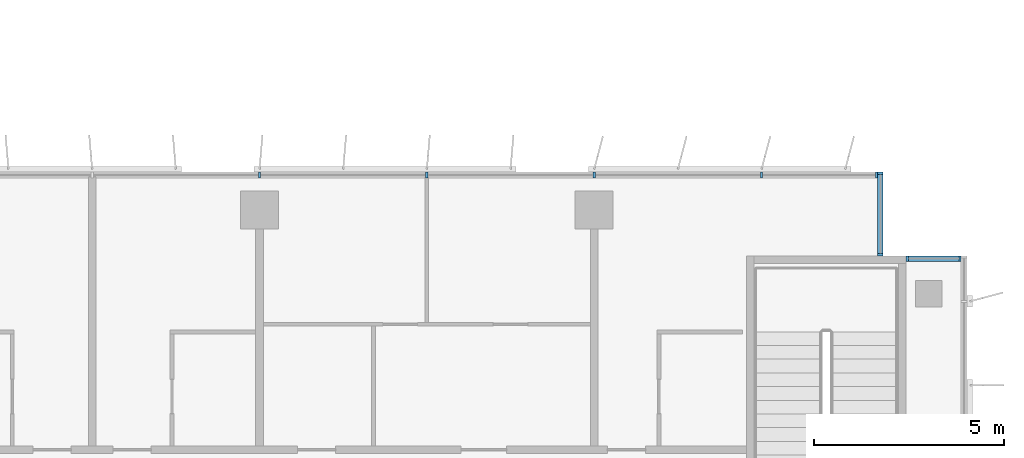
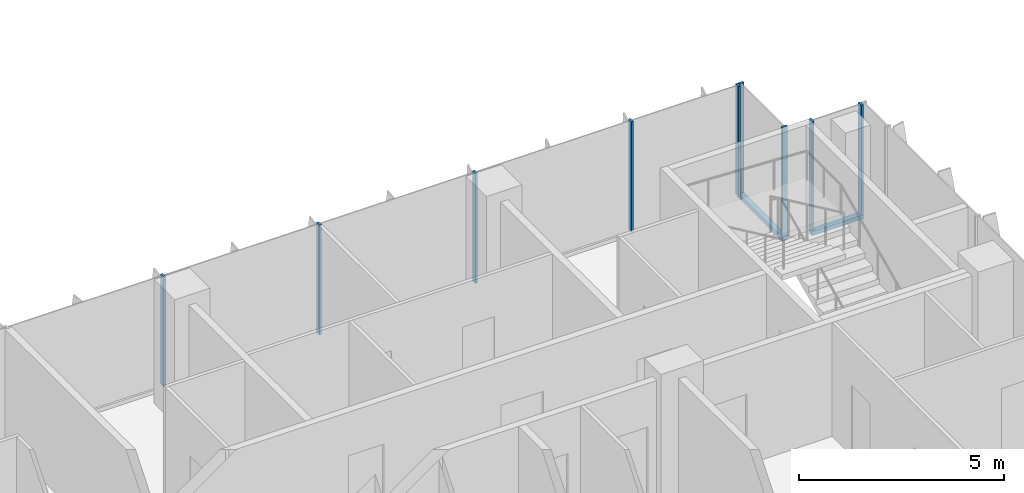
# One storey, part 4 of 21: 11 members, 3 elements without a shape of their own.
"""IFC4 building model written with IfcOpenShell, lengths in metres."""

from ifc_helpers import new_model, si_unit, direction, frame, origin, origin_2d, place, context, subcontext, project, spatial, rectangle, extrude, source, transform, mapped, material, material_profile, profile_set, type_object, element, aggregate, save


model = new_model("IFC4")

# Units and contexts
model_context = context("Model", 3, precision=1e-05, world=origin(), true_north=direction((0.0, 1.0)))
body_context = subcontext(model_context, "Body", "Model", "MODEL_VIEW")
ifc_project = project(units=[si_unit("LENGTHUNIT", "METRE"), si_unit("AREAUNIT", "SQUARE_METRE"), si_unit("VOLUMEUNIT", "CUBIC_METRE"), si_unit("PLANEANGLEUNIT", "RADIAN"), si_unit("MASSUNIT", "GRAM", prefix="KILO")], contexts=[model_context])

# Site, building, storey
site_placement = place(None, origin())
site = spatial("IfcSite", under=ifc_project, at=site_placement, CompositionType="ELEMENT")
building_placement = place(site_placement, origin())
building = spatial("IfcBuilding", under=site, at=building_placement, Name="Kemantara Hotel Tower", CompositionType="ELEMENT")
storey_placement = place(building_placement, frame((0.0, 0.0, 208.0)))
storey = spatial("IfcBuildingStorey", under=building, at=storey_placement, Name="L51", CompositionType="ELEMENT", Elevation=208.0)

# Curtain wall, member
ifc_material_1 = material(Name="Low-E tinted double insulated glass 36 mm", Category="glass")
curtain_wall_type = type_object("IfcCurtainWallType", Name="TOWER CURTAIN WALL, FRONT FACES", PredefinedType="USERDEFINED", material=ifc_material_1)
curtain_wall_1_placement = place(storey_placement, origin())
curtain_wall_1 = element("IfcCurtainWall", 1, at=curtain_wall_1_placement, inside=storey, type_object=curtain_wall_type, Name="CW4 L51 T3-R12-1", ObjectType="TOWER CURTAIN WALL, FRONT FACES", PredefinedType="USERDEFINED")
ifc_material_2 = material(Name="Aluminium 6063-T6 bronze anodised", Category="aluminium")
ifc_material_profile_1 = material_profile(ifc_material_2, rectangle(XDim=0.14990234375, YDim=0.1201171875, at=origin_2d()), Name="TOWER CURTAIN WALL, FRONT FACES TRANSOM")
ifc_profile_set_1 = profile_set([ifc_material_profile_1], Name="Aluminium 6063-T6 bronze anodised")
member_type_1 = type_object("IfcMemberType", Name="TOWER CURTAIN WALL, FRONT FACES TRANSOM", PredefinedType="USERDEFINED", material=ifc_profile_set_1)
member_1_placement = place(storey_placement, frame((63.449951171875, 19.72509765625, 0.06005859375), z_axis=(-1.0, 0.0, 0.0), x_axis=(0.0, -1.0, 0.0)))
member_1 = element("IfcMember", 2, at=member_1_placement, type_object=member_type_1, Name="CW4 sill transom T3-R12-1", ObjectType="TRANSOM", PredefinedType="USERDEFINED", context=body_context, shape_type="SweptSolid", body=[
    extrude(rectangle(XDim=0.14990234375, YDim=0.1201171875, at=origin_2d()), origin(), (0.0, 0.0, 1.0), 1.449951171875),
])

curtain_wall_2_placement = place(storey_placement, origin())
curtain_wall_2 = element("IfcCurtainWall", 3, at=curtain_wall_2_placement, inside=storey, type_object=curtain_wall_type, Name="CW4 L51 T3-R13-1", ObjectType="TOWER CURTAIN WALL, FRONT FACES", PredefinedType="USERDEFINED")
member_2_placement = place(storey_placement, frame((61.324951171875, 19.800048828125, 0.06005859375), z_axis=(0.0, 1.0, 0.0), x_axis=(-1.0, 0.0, 0.0)))
member_2 = element("IfcMember", 4, at=member_2_placement, type_object=member_type_1, Name="CW4 sill transom T3-R13-1", ObjectType="TRANSOM", PredefinedType="USERDEFINED", context=body_context, shape_type="SweptSolid", body=[
    extrude(rectangle(XDim=0.14990234375, YDim=0.1201171875, at=origin_2d()), origin(), (0.0, 0.0, 1.0), 2.199951171875),
])

# Curtain wall, members
curtain_wall_3_placement = place(storey_placement, origin())
curtain_wall_3 = element("IfcCurtainWall", 5, at=curtain_wall_3_placement, inside=storey, type_object=curtain_wall_type, Name="CW4 L51 T3-R14-1", ObjectType="TOWER CURTAIN WALL, FRONT FACES", PredefinedType="USERDEFINED")
ifc_material_profile_2 = material_profile(ifc_material_2, rectangle(XDim=0.14990234375, YDim=0.06005859375, at=origin_2d()), Name="TOWER CURTAIN WALL, FRONT FACES MULLION")
ifc_profile_set_2 = profile_set([ifc_material_profile_2], Name="Aluminium 6063-T6 bronze anodised")
member_type_2 = type_object("IfcMemberType", Name="TOWER CURTAIN WALL, FRONT FACES MULLION", PredefinedType="MULLION", material=ifc_profile_set_2)
shared_shape = source(origin(), body_context, "Body", "SweptSolid", [
    extrude(rectangle(XDim=0.14990234375, YDim=0.06005859375, at=origin_2d()), origin(), (0.0, 0.0, 1.0), 3.27978515625),
])
member_3_placement = place(storey_placement, frame((61.219970703125, 21.925048828125, 0.1201171875), z_axis=(0.0, 0.0, 1.0), x_axis=(0.0, -1.0, 0.0)))
member_3 = element("IfcMember", 6, at=member_3_placement, type_object=member_type_2, Name="CW4 mullion T3-R14-1.1", PredefinedType="MULLION", context=body_context, shape_type="MappedRepresentation", body=[
    mapped(shared_shape, transform((0.0, 0.0, 0.0))),
])
member_4_placement = place(storey_placement, frame((58.199951171875, 21.925048828125, 0.1201171875), z_axis=(0.0, 0.0, 1.0), x_axis=(0.0, -1.0, 0.0)))
member_4 = element("IfcMember", 7, at=member_4_placement, type_object=member_type_2, Name="CW4 mullion T3-R14-1.2", PredefinedType="MULLION", context=body_context, shape_type="MappedRepresentation", body=[
    mapped(shared_shape, transform((0.0, 0.0, 0.0))),
])
member_5_placement = place(storey_placement, frame((53.800048828125, 21.925048828125, 0.1201171875), z_axis=(0.0, 0.0, 1.0), x_axis=(0.0, -1.0, 0.0)))
member_5 = element("IfcMember", 8, at=member_5_placement, type_object=member_type_2, Name="CW4 mullion T3-R14-1.3", PredefinedType="MULLION", context=body_context, shape_type="MappedRepresentation", body=[
    mapped(shared_shape, transform((0.0, 0.0, 0.0))),
])
member_6_placement = place(storey_placement, frame((49.39990234375, 21.925048828125, 0.1201171875), z_axis=(0.0, 0.0, 1.0), x_axis=(0.0, -1.0, 0.0)))
member_6 = element("IfcMember", 9, at=member_6_placement, type_object=member_type_2, Name="CW4 mullion T3-R14-1.4", PredefinedType="MULLION", context=body_context, shape_type="MappedRepresentation", body=[
    mapped(shared_shape, transform((0.0, 0.0, 0.0))),
])
member_7_placement = place(storey_placement, frame((45.0, 21.925048828125, 0.1201171875), z_axis=(0.0, 0.0, 1.0), x_axis=(0.0, -1.0, 0.0)))
member_7 = element("IfcMember", 10, at=member_7_placement, type_object=member_type_2, Name="CW4 mullion T3-R14-1.5", PredefinedType="MULLION", context=body_context, shape_type="MappedRepresentation", body=[
    mapped(shared_shape, transform((0.0, 0.0, 0.0))),
])
aggregate(curtain_wall_3, [member_3, member_4, member_5, member_6, member_7])

# Member
member_8_placement = place(storey_placement, frame((63.419921875, 19.72509765625, 0.1201171875), z_axis=(0.0, 0.0, 1.0), x_axis=(0.0, -1.0, 0.0)))
member_8 = element("IfcMember", 11, at=member_8_placement, type_object=member_type_2, Name="CW4 mullion T3-R12-1.1", PredefinedType="MULLION", context=body_context, shape_type="MappedRepresentation", body=[
    mapped(shared_shape, transform((0.0, 0.0, 0.0))),
])

member_9_placement = place(storey_placement, frame((62.030029296875, 19.72509765625, 0.1201171875), z_axis=(0.0, 0.0, 1.0), x_axis=(0.0, -1.0, 0.0)))
member_9 = element("IfcMember", 12, at=member_9_placement, type_object=member_type_2, Name="CW4 mullion T3-R12-1.2", PredefinedType="MULLION", context=body_context, shape_type="MappedRepresentation", body=[
    mapped(shared_shape, transform((0.0, 0.0, 0.0))),
])

aggregate(curtain_wall_1, [member_1, member_8, member_9])

member_10_placement = place(storey_placement, frame((61.324951171875, 19.830078125, 0.1201171875), z_axis=(0.0, 0.0, 1.0), x_axis=(-1.0, 0.0, 0.0)))
member_10 = element("IfcMember", 13, at=member_10_placement, type_object=member_type_2, Name="CW4 mullion T3-R13-1.1", PredefinedType="MULLION", context=body_context, shape_type="MappedRepresentation", body=[
    mapped(shared_shape, transform((0.0, 0.0, 0.0))),
])

member_11_placement = place(storey_placement, frame((61.324951171875, 21.969970703125, 0.1201171875), z_axis=(0.0, 0.0, 1.0), x_axis=(-1.0, 0.0, 0.0)))
member_11 = element("IfcMember", 14, at=member_11_placement, type_object=member_type_2, Name="CW4 mullion T3-R13-1.2", PredefinedType="MULLION", context=body_context, shape_type="MappedRepresentation", body=[
    mapped(shared_shape, transform((0.0, 0.0, 0.0))),
])

aggregate(curtain_wall_2, [member_2, member_10, member_11])

save(model, "model.ifc")
